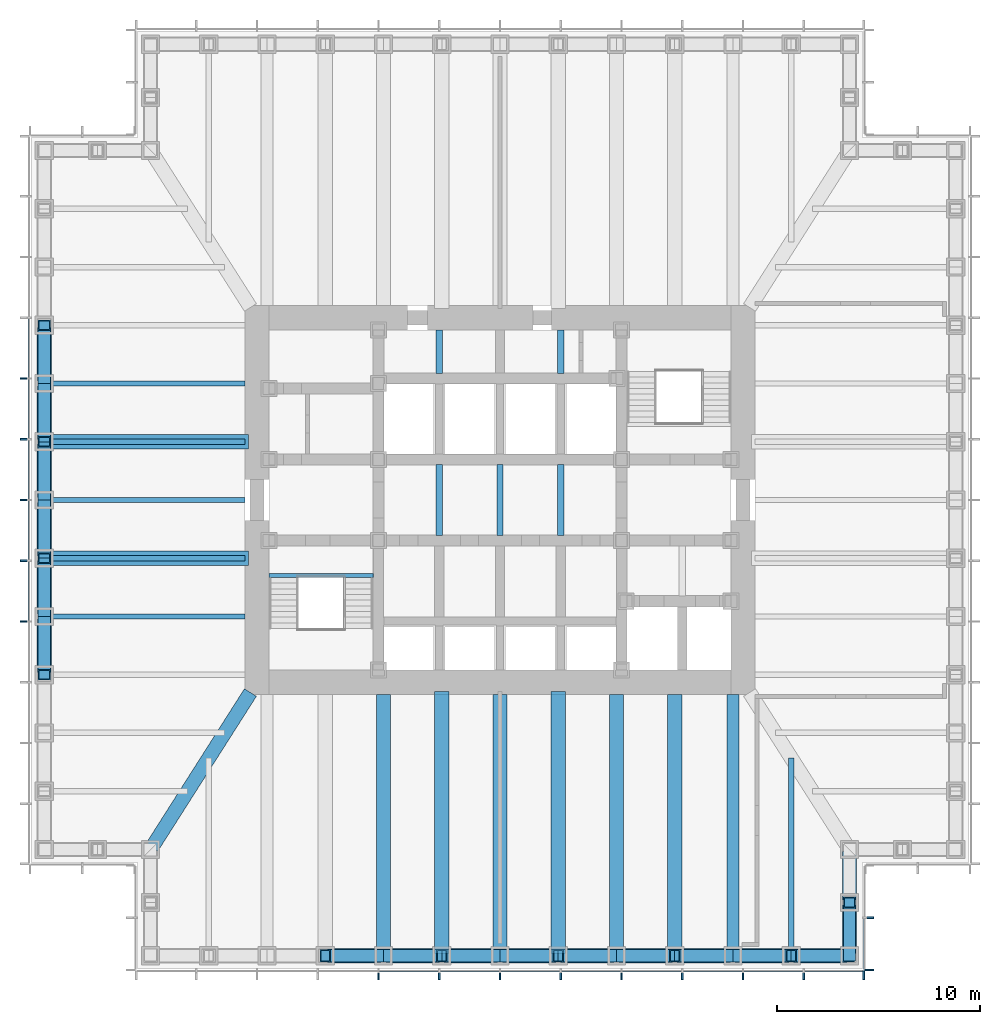
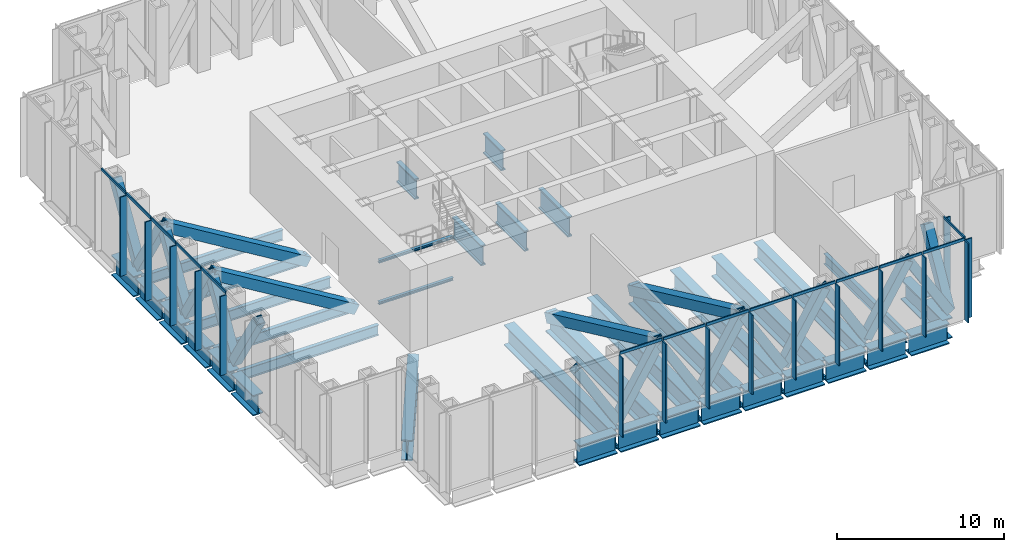
# One storey, part 2 of 13: 50 members, 38 beams, 3 elements without a shape of their own.
"""IFC4 building model written with IfcOpenShell, lengths in metres."""

import ifcopenshell
import ifcopenshell.guid

model = None  # the IFC model being written
_history = None  # IfcOwnerHistory: only IFC2X3 demands one
_inside = {}  # id of a spatial element -> (the spatial element, [elements in it])
_under = {}  # id of a project, library or spatial element -> (it, [spatial elements below it])
_declared = {}  # id of a project -> (the project, [libraries it declares])
_typed = {}  # id of a type object -> (the type object, [elements of that type])
_made_of = {}  # id of a material, layer set ... -> (it, [elements and type objects made of it])


def new_model(schema):
    """Start an empty IFC model of exactly this schema.

    Asked for "IFC4X3", IfcOpenShell would pick the latest addendum, in which some entities
    have other attributes; the version numbers below select the first issue.
    IFC2X3 requires an IfcOwnerHistory on every rooted entity: one is made here for all.
    """
    global model, _history
    if schema == "IFC4X3":
        model = ifcopenshell.file(schema_version=(4, 3, 0, 0))
    else:
        model = ifcopenshell.file(schema=schema)
    _inside.clear()
    _under.clear()
    _declared.clear()
    _typed.clear()
    _made_of.clear()
    _history = None
    if model.schema == "IFC2X3":
        org = make("IfcOrganization", Name="unknown")
        user = make(
            "IfcPersonAndOrganization",
            ThePerson=make("IfcPerson", FamilyName="unknown"),
            TheOrganization=org,
        )
        app = make(
            "IfcApplication",
            ApplicationDeveloper=org,
            Version="unknown",
            ApplicationFullName="unknown",
            ApplicationIdentifier="unknown",
        )
        _history = make(
            "IfcOwnerHistory",
            OwningUser=user,
            OwningApplication=app,
            ChangeAction="ADDED",
            CreationDate=0,
        )
    return model


def make(cls, **values):
    """One entity of the class cls with the attributes given. An attribute that is None is left unset."""
    return model.create_entity(
        cls, **{name: value for name, value in values.items() if value is not None}
    )


def rooted(cls, **values):
    """An entity with a GlobalId (a new one), such as an element, a storey or a relation."""
    return make(cls, GlobalId=ifcopenshell.guid.new(), OwnerHistory=_history, **values)


def si_unit(unit_type, name, prefix=None):
    """IfcSIUnit, for example si_unit("LENGTHUNIT", "METRE", prefix="MILLI")."""
    return make("IfcSIUnit", UnitType=unit_type, Prefix=prefix, Name=name)


def assignment(units):
    """IfcUnitAssignment: the units of a project."""
    return None if units is None else make("IfcUnitAssignment", Units=units)


def point(xyz):
    """IfcCartesianPoint."""
    return None if xyz is None else make("IfcCartesianPoint", Coordinates=xyz)


def direction(xyz):
    """IfcDirection."""
    return None if xyz is None else make("IfcDirection", DirectionRatios=xyz)


def frame(location, z_axis=None, x_axis=None):
    """IfcAxis2Placement3D, a coordinate frame: its origin and axes. An axis left out is left unset."""
    return make(
        "IfcAxis2Placement3D",
        Location=point(location),
        Axis=direction(z_axis),
        RefDirection=direction(x_axis),
    )


def frame_2d(location, x_axis=None):
    """IfcAxis2Placement2D, a coordinate frame in the plane: its origin and x axis."""
    return make(
        "IfcAxis2Placement2D", Location=point(location), RefDirection=direction(x_axis)
    )


def origin():
    """The frame at (0, 0, 0) with its axes left unset."""
    return frame((0.0, 0.0, 0.0))


def origin_2d():
    """The frame at (0, 0) in the plane with its x axis left unset."""
    return frame_2d((0.0, 0.0))


def place(relative_to, where):
    """IfcLocalPlacement: puts the frame where relative to a parent placement (None: the world)."""
    return make(
        "IfcLocalPlacement", PlacementRelTo=relative_to, RelativePlacement=where
    )


def context(
    kind, dimensions, precision=None, world=None, true_north=None, identifier=None
):
    """IfcGeometricRepresentationContext, for example the 3D "Model" context."""
    return make(
        "IfcGeometricRepresentationContext",
        ContextIdentifier=identifier,
        ContextType=kind,
        CoordinateSpaceDimension=dimensions,
        Precision=precision,
        WorldCoordinateSystem=world,
        TrueNorth=true_north,
    )


def subcontext(parent, identifier, kind, view, scale=None):
    """IfcGeometricRepresentationSubContext, for example "Body" below "Model"."""
    return make(
        "IfcGeometricRepresentationSubContext",
        ContextIdentifier=identifier,
        ContextType=kind,
        ParentContext=parent,
        TargetScale=scale,
        TargetView=view,
    )


def project(units=None, contexts=None):
    """IfcProject with its units and contexts."""
    return rooted(
        "IfcProject",
        Name="project",
        RepresentationContexts=contexts,
        UnitsInContext=assignment(units),
    )


def spatial(cls, under=None, at=None, **own):
    """A site, building, storey or space (cls), placed at a placement, below another one or the project."""
    s = rooted(cls, ObjectPlacement=at, **own)
    if under is not None:
        _under.setdefault(under.id(), (under, []))[1].append(s)
    return s


def profile(cls, at=None, kind="AREA", **sizes):
    """A parametric profile (cls). Its sizes go by their IFC names, for example OverallWidth=200.0."""
    return make(cls, ProfileType=kind, Position=at, **sizes)


def rectangle(**sizes):
    """IfcRectangleProfileDef."""
    return profile("IfcRectangleProfileDef", **sizes)


def hollow_rectangle(**sizes):
    """IfcRectangleHollowProfileDef."""
    return profile("IfcRectangleHollowProfileDef", **sizes)


def i_section(**sizes):
    """IfcIShapeProfileDef."""
    return profile("IfcIShapeProfileDef", **sizes)


def extrude(swept, where, along, depth):
    """IfcExtrudedAreaSolid: the profile swept, set in the frame where, extruded along a direction by depth."""
    return make(
        "IfcExtrudedAreaSolid",
        SweptArea=swept,
        Position=where,
        ExtrudedDirection=direction(along),
        Depth=depth,
    )


def shape(context_of_items, identifier, shape_type, items):
    """IfcShapeRepresentation: the items that make up one representation, for example the "Body"."""
    return make(
        "IfcShapeRepresentation",
        ContextOfItems=context_of_items,
        RepresentationIdentifier=identifier,
        RepresentationType=shape_type,
        Items=items,
    )


def material(Name=None, Category=None):
    """IfcMaterial."""
    return make("IfcMaterial", Name=Name, Category=Category)


def material_profile(
    of_material, cross_section, Name=None, Category=None, Priority=None
):
    """IfcMaterialProfile: a cross section and its material."""
    return make(
        "IfcMaterialProfile",
        Name=Name,
        Material=of_material,
        Profile=cross_section,
        Priority=Priority,
        Category=Category,
    )


def profile_set(profiles, Name=None, composite=None):
    """IfcMaterialProfileSet."""
    return make(
        "IfcMaterialProfileSet",
        Name=Name,
        MaterialProfiles=profiles,
        CompositeProfile=composite,
    )


def made_of(thing, what):
    """Note that an element or type object is made of a material, layer set ...; save() writes the relation."""
    if what is not None:
        _made_of.setdefault(what.id(), (what, []))[1].append(thing)
    return thing


def type_object(cls, material=None, **own):
    """A type object (cls), such as IfcWallType, which elements share."""
    return made_of(rooted(cls, **own), material)


def element(
    cls,
    number,
    at=None,
    inside=None,
    cuts=None,
    type_object=None,
    material=None,
    context=None,
    identifier="Body",
    shape_type=None,
    held_by="IfcProductDefinitionShape",
    body=None,
    shapes=None,
    **own,
):
    """One element of the class cls, such as IfcWall. Its Tag is "e" and its number.

    at: its placement. inside: the storey or other place that contains it. cuts: it is an
    opening in that element (IfcRelVoidsElement). A single representation is given by context,
    identifier, shape_type and body (its items); several are given by shapes. held_by: the class
    of the entity that holds the representations. save() writes the other relations.
    """
    e = rooted(cls, Tag="e%d" % number, ObjectPlacement=at, **own)
    if body is not None:
        shapes = [shape(context, identifier, shape_type, body)]
    if shapes is not None:
        e.Representation = make(held_by, Representations=shapes)
    if inside is not None:
        _inside.setdefault(inside.id(), (inside, []))[1].append(e)
    if cuts is not None:
        rooted(
            "IfcRelVoidsElement", RelatingBuildingElement=cuts, RelatedOpeningElement=e
        )
    if type_object is not None:
        _typed.setdefault(type_object.id(), (type_object, []))[1].append(e)
    return made_of(e, material)


def aggregate(whole, parts):
    """IfcRelAggregates: a whole, such as a stair, and the parts it consists of."""
    return rooted("IfcRelAggregates", RelatingObject=whole, RelatedObjects=parts)


def save(model, path):
    """Write the relations noted so far, then the file.

    IfcRelAggregates (storeys below a building ...), IfcRelContainedInSpatialStructure (elements
    in a storey), IfcRelDefinesByType, IfcRelAssociatesMaterial and IfcRelDeclares: one each for
    every whole, place, type object, material and project.
    """
    for whole, parts in _under.values():
        aggregate(whole, parts)
    for where, things in _inside.values():
        rooted(
            "IfcRelContainedInSpatialStructure",
            RelatedElements=things,
            RelatingStructure=where,
        )
    for kind, things in _typed.values():
        rooted("IfcRelDefinesByType", RelatedObjects=things, RelatingType=kind)
    for what, things in _made_of.values():
        rooted("IfcRelAssociatesMaterial", RelatedObjects=things, RelatingMaterial=what)
    for by, libraries in _declared.values():
        rooted("IfcRelDeclares", RelatingContext=by, RelatedDefinitions=libraries)
    model.write(path)


model = new_model("IFC4")

# Units and contexts
model_context = context("Model", 3, precision=1e-05, world=origin(), true_north=direction((0.0, 1.0)))
body_context = subcontext(model_context, "Body", "Model", "MODEL_VIEW")
ifc_project = project(units=[si_unit("LENGTHUNIT", "METRE"), si_unit("AREAUNIT", "SQUARE_METRE"), si_unit("VOLUMEUNIT", "CUBIC_METRE"), si_unit("PLANEANGLEUNIT", "RADIAN"), si_unit("MASSUNIT", "GRAM", prefix="KILO")], contexts=[model_context])

# Site, building, storey
site_placement = place(None, origin())
site = spatial("IfcSite", under=ifc_project, at=site_placement, CompositionType="ELEMENT")
building_placement = place(site_placement, origin())
building = spatial("IfcBuilding", under=site, at=building_placement, Name="Daluyong Arena Tower", CompositionType="ELEMENT")
storey_placement = place(building_placement, frame((0.0, 0.0, 175.300048828125)))
storey = spatial("IfcBuildingStorey", under=building, at=storey_placement, Name="L39", CompositionType="ELEMENT", Elevation=175.300048828125)

# Members
ifc_material_1 = material(Name="Steel ASTM A572 Grade 50", Category="steel")
ifc_material_profile_1 = material_profile(ifc_material_1, hollow_rectangle(XDim=0.60009765625, YDim=0.60009765625, WallThickness=0.05, at=origin_2d()))
ifc_profile_set_1 = profile_set([ifc_material_profile_1], Name="Steel ASTM A572 Grade 50")
member_type_1 = type_object("IfcMemberType", Name="Belt truss diagonal BX600X50", PredefinedType="BRACE", material=ifc_profile_set_1)
for number, where, z_axis, x_axis, name in (
    (1, (50.25, 57.5, 0.5), (-0.517802679406, 0.0, 0.855500079018), (0.0, -1.0, 0.0), "belt truss diagonal BT1"),
    (2, (50.25, 57.5, 0.5), (0.517802679406, 0.0, 0.855500079018), (0.0, 1.0, 0.0), "belt truss diagonal BT1"),
    (3, (56.0, 57.5, 0.5), (-0.517802679406, 0.0, 0.855500079018), (0.0, -1.0, 0.0), "belt truss diagonal BT1"),
    (4, (56.0, 57.5, 0.5), (0.517802679406, 0.0, 0.855500079018), (0.0, 1.0, 0.0), "belt truss diagonal BT1"),
    (5, (61.75, 57.5, 0.5), (-0.517802679406, 0.0, 0.855500079018), (0.0, -1.0, 0.0), "belt truss diagonal BT1"),
    (6, (61.75, 57.5, 0.5), (0.517802679406, 0.0, 0.855500079018), (0.0, 1.0, 0.0), "belt truss diagonal BT1"),
    (7, (67.5, 57.5, 0.5), (-0.517802679406, 0.0, 0.855500079018), (0.0, -1.0, 0.0), "belt truss diagonal BT1"),
    (8, (67.5, 57.5, 0.5), (0.517802679406, 0.0, 0.855500079018), (0.0, 1.0, 0.0), "belt truss diagonal BT1"),
    (9, (73.25, 57.5, 0.5), (-0.517802679406, 0.0, 0.855500079018), (0.0, -1.0, 0.0), "belt truss diagonal BT1"),
):
    element("IfcMember", number, at=place(storey_placement, frame(where, z_axis=z_axis, x_axis=x_axis)), inside=storey, type_object=member_type_1, Name=name, PredefinedType="BRACE", context=body_context, shape_type="SweptSolid", body=[
        extrude(hollow_rectangle(XDim=0.60009765625, YDim=0.60009765625, WallThickness=0.05, at=origin_2d()), origin(), (0.0, 0.0, 1.0), 5.55224609375),
    ])
member_1_placement = place(storey_placement, frame((73.25, 57.5, 0.5), z_axis=(0.0, 0.48368611169, 0.875241535439), x_axis=(-1.0, 0.0, 0.0)))
element("IfcMember", 10, at=member_1_placement, inside=storey, type_object=member_type_1, Name="belt truss diagonal BT1", PredefinedType="BRACE", context=body_context, shape_type="SweptSolid", body=[
    extrude(hollow_rectangle(XDim=0.60009765625, YDim=0.60009765625, WallThickness=0.05, at=origin_2d()), origin(), (0.0, 0.0, 1.0), 5.427001953125),
])
for number, where, z_axis, x_axis, name in (
    (11, (33.5, 85.75, 0.5), (0.0, 0.517802679406, 0.855500079018), (-1.0, 0.0, 0.0), "belt truss diagonal BT1"),
    (12, (33.5, 85.75, 0.5), (0.0, -0.517802679406, 0.855500079018), (1.0, 0.0, 0.0), "belt truss diagonal BT1"),
    (13, (33.5, 80.0, 0.5), (0.0, 0.517802679406, 0.855500079018), (-1.0, 0.0, 0.0), "belt truss diagonal BT1"),
    (14, (33.5, 80.0, 0.5), (0.0, -0.517802679406, 0.855500079018), (1.0, 0.0, 0.0), "belt truss diagonal BT1"),
    (15, (33.5, 74.25, 0.5), (0.0, 0.517802679406, 0.855500079018), (-1.0, 0.0, 0.0), "belt truss diagonal BT1"),
    (16, (33.5, 74.25, 0.5), (0.0, -0.517802679406, 0.855500079018), (1.0, 0.0, 0.0), "belt truss diagonal BT1"),
):
    element("IfcMember", number, at=place(storey_placement, frame(where, z_axis=z_axis, x_axis=x_axis)), inside=storey, type_object=member_type_1, Name=name, PredefinedType="BRACE", context=body_context, shape_type="SweptSolid", body=[
        extrude(hollow_rectangle(XDim=0.60009765625, YDim=0.60009765625, WallThickness=0.05, at=origin_2d()), origin(), (0.0, 0.0, 1.0), 5.55224609375),
    ])

# Curtain wall, members
ifc_material_2 = material(Name="Bronze anodised aluminium and glass", Category="aluminium")
curtain_wall_type = type_object("IfcCurtainWallType", Name="Curtain wall CW6", PredefinedType="USERDEFINED", material=ifc_material_2)
curtain_wall_1_placement = place(storey_placement, origin())
curtain_wall_1 = element("IfcCurtainWall", 17, at=curtain_wall_1_placement, inside=storey, type_object=curtain_wall_type, Name="curtain wall L39 S", ObjectType="UNITISED CURTAIN WALL", PredefinedType="USERDEFINED")
ifc_material_3 = material(Name="Bronze anodised aluminium fin", Category="aluminium")
ifc_material_profile_2 = material_profile(ifc_material_3, rectangle(XDim=0.449951171875, YDim=0.080078125, at=origin_2d()))
ifc_profile_set_2 = profile_set([ifc_material_profile_2], Name="Bronze anodised aluminium fin")
member_type_2 = type_object("IfcMemberType", Name="CW6 bronze fin 450x80", PredefinedType="MULLION", material=ifc_profile_set_2)
member_2_placement = place(storey_placement, frame((50.0, 56.52490234375, 0.0), z_axis=(0.0, 0.0, 1.0), x_axis=(0.0, 1.0, 0.0)))
member_2 = element("IfcMember", 18, at=member_2_placement, type_object=member_type_2, Name="curtain wall L39 S fin 5", PredefinedType="MULLION", context=body_context, shape_type="SweptSolid", body=[
    extrude(rectangle(XDim=0.449951171875, YDim=0.080078125, at=origin_2d()), origin(), (0.0, 0.0, 1.0), 5.800048828125),
])
member_3_placement = place(storey_placement, frame((53.0, 56.52490234375, 0.0), z_axis=(0.0, 0.0, 1.0), x_axis=(0.0, 1.0, 0.0)))
member_3 = element("IfcMember", 19, at=member_3_placement, type_object=member_type_2, Name="curtain wall L39 S fin 6", PredefinedType="MULLION", context=body_context, shape_type="SweptSolid", body=[
    extrude(rectangle(XDim=0.449951171875, YDim=0.080078125, at=origin_2d()), origin(), (0.0, 0.0, 1.0), 5.800048828125),
])
member_4_placement = place(storey_placement, frame((56.0, 56.52490234375, 0.0), z_axis=(0.0, 0.0, 1.0), x_axis=(0.0, 1.0, 0.0)))
member_4 = element("IfcMember", 20, at=member_4_placement, type_object=member_type_2, Name="curtain wall L39 S fin 7", PredefinedType="MULLION", context=body_context, shape_type="SweptSolid", body=[
    extrude(rectangle(XDim=0.449951171875, YDim=0.080078125, at=origin_2d()), origin(), (0.0, 0.0, 1.0), 5.800048828125),
])
member_5_placement = place(storey_placement, frame((59.0, 56.52490234375, 0.0), z_axis=(0.0, 0.0, 1.0), x_axis=(0.0, 1.0, 0.0)))
member_5 = element("IfcMember", 21, at=member_5_placement, type_object=member_type_2, Name="curtain wall L39 S fin 8", PredefinedType="MULLION", context=body_context, shape_type="SweptSolid", body=[
    extrude(rectangle(XDim=0.449951171875, YDim=0.080078125, at=origin_2d()), origin(), (0.0, 0.0, 1.0), 5.800048828125),
])
member_6_placement = place(storey_placement, frame((62.0, 56.52490234375, 0.0), z_axis=(0.0, 0.0, 1.0), x_axis=(0.0, 1.0, 0.0)))
member_6 = element("IfcMember", 22, at=member_6_placement, type_object=member_type_2, Name="curtain wall L39 S fin 9", PredefinedType="MULLION", context=body_context, shape_type="SweptSolid", body=[
    extrude(rectangle(XDim=0.449951171875, YDim=0.080078125, at=origin_2d()), origin(), (0.0, 0.0, 1.0), 5.800048828125),
])
member_7_placement = place(storey_placement, frame((65.0, 56.52490234375, 0.0), z_axis=(0.0, 0.0, 1.0), x_axis=(0.0, 1.0, 0.0)))
member_7 = element("IfcMember", 23, at=member_7_placement, type_object=member_type_2, Name="curtain wall L39 S fin 10", PredefinedType="MULLION", context=body_context, shape_type="SweptSolid", body=[
    extrude(rectangle(XDim=0.449951171875, YDim=0.080078125, at=origin_2d()), origin(), (0.0, 0.0, 1.0), 5.800048828125),
])
member_8_placement = place(storey_placement, frame((68.0, 56.52490234375, 0.0), z_axis=(0.0, 0.0, 1.0), x_axis=(0.0, 1.0, 0.0)))
member_8 = element("IfcMember", 24, at=member_8_placement, type_object=member_type_2, Name="curtain wall L39 S fin 11", PredefinedType="MULLION", context=body_context, shape_type="SweptSolid", body=[
    extrude(rectangle(XDim=0.449951171875, YDim=0.080078125, at=origin_2d()), origin(), (0.0, 0.0, 1.0), 5.800048828125),
])
member_9_placement = place(storey_placement, frame((71.0, 56.52490234375, 0.0), z_axis=(0.0, 0.0, 1.0), x_axis=(0.0, 1.0, 0.0)))
member_9 = element("IfcMember", 25, at=member_9_placement, type_object=member_type_2, Name="curtain wall L39 S fin 12", PredefinedType="MULLION", context=body_context, shape_type="SweptSolid", body=[
    extrude(rectangle(XDim=0.449951171875, YDim=0.080078125, at=origin_2d()), origin(), (0.0, 0.0, 1.0), 5.800048828125),
])
member_10_placement = place(storey_placement, frame((73.9599609375, 56.52490234375, 0.0), z_axis=(0.0, 0.0, 1.0), x_axis=(0.0, 1.0, 0.0)))
member_10 = element("IfcMember", 26, at=member_10_placement, type_object=member_type_2, Name="curtain wall L39 S fin 13", PredefinedType="MULLION", context=body_context, shape_type="SweptSolid", body=[
    extrude(rectangle(XDim=0.449951171875, YDim=0.080078125, at=origin_2d()), origin(), (0.0, 0.0, 1.0), 5.800048828125),
])

curtain_wall_2_placement = place(storey_placement, origin())
curtain_wall_2 = element("IfcCurtainWall", 27, at=curtain_wall_2_placement, inside=storey, type_object=curtain_wall_type, Name="curtain wall L39 SE-E", ObjectType="UNITISED CURTAIN WALL", PredefinedType="USERDEFINED")
member_11_placement = place(storey_placement, frame((74.22509765625, 56.7900390625, 0.0), z_axis=(0.0, 0.0, 1.0), x_axis=(-1.0, 0.0, 0.0)))
member_11 = element("IfcMember", 28, at=member_11_placement, type_object=member_type_2, Name="curtain wall L39 SE-E fin 1", PredefinedType="MULLION", context=body_context, shape_type="SweptSolid", body=[
    extrude(rectangle(XDim=0.449951171875, YDim=0.080078125, at=origin_2d()), origin(), (0.0, 0.0, 1.0), 5.800048828125),
])
member_12_placement = place(storey_placement, frame((74.22509765625, 59.375, 0.0), z_axis=(0.0, 0.0, 1.0), x_axis=(-1.0, 0.0, 0.0)))
member_12 = element("IfcMember", 29, at=member_12_placement, type_object=member_type_2, Name="curtain wall L39 SE-E fin 2", PredefinedType="MULLION", context=body_context, shape_type="SweptSolid", body=[
    extrude(rectangle(XDim=0.449951171875, YDim=0.080078125, at=origin_2d()), origin(), (0.0, 0.0, 1.0), 5.800048828125),
])

curtain_wall_3_placement = place(storey_placement, origin())
curtain_wall_3 = element("IfcCurtainWall", 30, at=curtain_wall_3_placement, inside=storey, type_object=curtain_wall_type, Name="curtain wall L39 W", ObjectType="UNITISED CURTAIN WALL", PredefinedType="USERDEFINED")
member_13_placement = place(storey_placement, frame((32.52490234375, 86.0, 0.0), z_axis=(0.0, 0.0, 1.0), x_axis=(1.0, 0.0, 0.0)))
member_13 = element("IfcMember", 31, at=member_13_placement, type_object=member_type_2, Name="curtain wall L39 W fin 5", PredefinedType="MULLION", context=body_context, shape_type="SweptSolid", body=[
    extrude(rectangle(XDim=0.449951171875, YDim=0.080078125, at=origin_2d()), origin(), (0.0, 0.0, 1.0), 5.800048828125),
])
member_14_placement = place(storey_placement, frame((32.52490234375, 83.0, 0.0), z_axis=(0.0, 0.0, 1.0), x_axis=(1.0, 0.0, 0.0)))
member_14 = element("IfcMember", 32, at=member_14_placement, type_object=member_type_2, Name="curtain wall L39 W fin 6", PredefinedType="MULLION", context=body_context, shape_type="SweptSolid", body=[
    extrude(rectangle(XDim=0.449951171875, YDim=0.080078125, at=origin_2d()), origin(), (0.0, 0.0, 1.0), 5.800048828125),
])
member_15_placement = place(storey_placement, frame((32.52490234375, 80.0, 0.0), z_axis=(0.0, 0.0, 1.0), x_axis=(1.0, 0.0, 0.0)))
member_15 = element("IfcMember", 33, at=member_15_placement, type_object=member_type_2, Name="curtain wall L39 W fin 7", PredefinedType="MULLION", context=body_context, shape_type="SweptSolid", body=[
    extrude(rectangle(XDim=0.449951171875, YDim=0.080078125, at=origin_2d()), origin(), (0.0, 0.0, 1.0), 5.800048828125),
])
member_16_placement = place(storey_placement, frame((32.52490234375, 77.0, 0.0), z_axis=(0.0, 0.0, 1.0), x_axis=(1.0, 0.0, 0.0)))
member_16 = element("IfcMember", 34, at=member_16_placement, type_object=member_type_2, Name="curtain wall L39 W fin 8", PredefinedType="MULLION", context=body_context, shape_type="SweptSolid", body=[
    extrude(rectangle(XDim=0.449951171875, YDim=0.080078125, at=origin_2d()), origin(), (0.0, 0.0, 1.0), 5.800048828125),
])
member_17_placement = place(storey_placement, frame((32.52490234375, 74.0, 0.0), z_axis=(0.0, 0.0, 1.0), x_axis=(1.0, 0.0, 0.0)))
member_17 = element("IfcMember", 35, at=member_17_placement, type_object=member_type_2, Name="curtain wall L39 W fin 9", PredefinedType="MULLION", context=body_context, shape_type="SweptSolid", body=[
    extrude(rectangle(XDim=0.449951171875, YDim=0.080078125, at=origin_2d()), origin(), (0.0, 0.0, 1.0), 5.800048828125),
])

# Member
ifc_material_4 = material(Name="Bronze anodised aluminium", Category="aluminium")
ifc_material_profile_3 = material_profile(ifc_material_4, rectangle(XDim=0.080078125, YDim=0.199951171875, at=origin_2d()))
ifc_profile_set_3 = profile_set([ifc_material_profile_3], Name="Bronze anodised aluminium")
member_type_3 = type_object("IfcMemberType", Name="CW6 stack transom 200x80", PredefinedType="USERDEFINED", material=ifc_profile_set_3)
member_18_placement = place(storey_placement, frame((50.0400390625, 56.75, 5.89990234375), z_axis=(1.0, 0.0, 0.0), x_axis=(0.0, 1.0, 0.0)))
member_18 = element("IfcMember", 36, at=member_18_placement, type_object=member_type_3, Name="curtain wall L39 S transom 5", ObjectType="TRANSOM", PredefinedType="USERDEFINED", context=body_context, shape_type="SweptSolid", body=[
    extrude(rectangle(XDim=0.080078125, YDim=0.199951171875, at=origin_2d()), origin(), (0.0, 0.0, 1.0), 2.919921875),
])

member_19_placement = place(storey_placement, frame((53.0400390625, 56.75, 5.89990234375), z_axis=(1.0, 0.0, 0.0), x_axis=(0.0, 1.0, 0.0)))
member_19 = element("IfcMember", 37, at=member_19_placement, type_object=member_type_3, Name="curtain wall L39 S transom 6", ObjectType="TRANSOM", PredefinedType="USERDEFINED", context=body_context, shape_type="SweptSolid", body=[
    extrude(rectangle(XDim=0.080078125, YDim=0.199951171875, at=origin_2d()), origin(), (0.0, 0.0, 1.0), 2.919921875),
])

member_20_placement = place(storey_placement, frame((56.0400390625, 56.75, 5.89990234375), z_axis=(1.0, 0.0, 0.0), x_axis=(0.0, 1.0, 0.0)))
member_20 = element("IfcMember", 38, at=member_20_placement, type_object=member_type_3, Name="curtain wall L39 S transom 7", ObjectType="TRANSOM", PredefinedType="USERDEFINED", context=body_context, shape_type="SweptSolid", body=[
    extrude(rectangle(XDim=0.080078125, YDim=0.199951171875, at=origin_2d()), origin(), (0.0, 0.0, 1.0), 2.919921875),
])

member_21_placement = place(storey_placement, frame((59.0400390625, 56.75, 5.89990234375), z_axis=(1.0, 0.0, 0.0), x_axis=(0.0, 1.0, 0.0)))
member_21 = element("IfcMember", 39, at=member_21_placement, type_object=member_type_3, Name="curtain wall L39 S transom 8", ObjectType="TRANSOM", PredefinedType="USERDEFINED", context=body_context, shape_type="SweptSolid", body=[
    extrude(rectangle(XDim=0.080078125, YDim=0.199951171875, at=origin_2d()), origin(), (0.0, 0.0, 1.0), 2.919921875),
])

member_22_placement = place(storey_placement, frame((62.0400390625, 56.75, 5.89990234375), z_axis=(1.0, 0.0, 0.0), x_axis=(0.0, 1.0, 0.0)))
member_22 = element("IfcMember", 40, at=member_22_placement, type_object=member_type_3, Name="curtain wall L39 S transom 9", ObjectType="TRANSOM", PredefinedType="USERDEFINED", context=body_context, shape_type="SweptSolid", body=[
    extrude(rectangle(XDim=0.080078125, YDim=0.199951171875, at=origin_2d()), origin(), (0.0, 0.0, 1.0), 2.919921875),
])

member_23_placement = place(storey_placement, frame((65.0400390625, 56.75, 5.89990234375), z_axis=(1.0, 0.0, 0.0), x_axis=(0.0, 1.0, 0.0)))
member_23 = element("IfcMember", 41, at=member_23_placement, type_object=member_type_3, Name="curtain wall L39 S transom 10", ObjectType="TRANSOM", PredefinedType="USERDEFINED", context=body_context, shape_type="SweptSolid", body=[
    extrude(rectangle(XDim=0.080078125, YDim=0.199951171875, at=origin_2d()), origin(), (0.0, 0.0, 1.0), 2.919921875),
])

member_24_placement = place(storey_placement, frame((68.0400390625, 56.75, 5.89990234375), z_axis=(1.0, 0.0, 0.0), x_axis=(0.0, 1.0, 0.0)))
member_24 = element("IfcMember", 42, at=member_24_placement, type_object=member_type_3, Name="curtain wall L39 S transom 11", ObjectType="TRANSOM", PredefinedType="USERDEFINED", context=body_context, shape_type="SweptSolid", body=[
    extrude(rectangle(XDim=0.080078125, YDim=0.199951171875, at=origin_2d()), origin(), (0.0, 0.0, 1.0), 2.919921875),
])

member_25_placement = place(storey_placement, frame((71.0400390625, 56.75, 5.89990234375), z_axis=(1.0, 0.0, 0.0), x_axis=(0.0, 1.0, 0.0)))
member_25 = element("IfcMember", 43, at=member_25_placement, type_object=member_type_3, Name="curtain wall L39 S transom 12", ObjectType="TRANSOM", PredefinedType="USERDEFINED", context=body_context, shape_type="SweptSolid", body=[
    extrude(rectangle(XDim=0.080078125, YDim=0.199951171875, at=origin_2d()), origin(), (0.0, 0.0, 1.0), 2.8798828125),
])

aggregate(curtain_wall_1, [member_2, member_3, member_4, member_5, member_6, member_7, member_8, member_9, member_10, member_18, member_19, member_20, member_21, member_22, member_23, member_24, member_25])

member_26_placement = place(storey_placement, frame((74.0, 56.830078125, 5.89990234375), z_axis=(0.0, 1.0, 0.0), x_axis=(-1.0, 0.0, 0.0)))
member_26 = element("IfcMember", 44, at=member_26_placement, type_object=member_type_3, Name="curtain wall L39 SE-E transom 1", ObjectType="TRANSOM", PredefinedType="USERDEFINED", context=body_context, shape_type="SweptSolid", body=[
    extrude(rectangle(XDim=0.080078125, YDim=0.199951171875, at=origin_2d()), origin(), (0.0, 0.0, 1.0), 2.5048828125),
])

aggregate(curtain_wall_2, [member_11, member_12, member_26])

member_27_placement = place(storey_placement, frame((32.75, 88.9599609375, 5.89990234375), z_axis=(0.0, -1.0, 0.0), x_axis=(1.0, 0.0, 0.0)))
member_27 = element("IfcMember", 45, at=member_27_placement, type_object=member_type_3, Name="curtain wall L39 W transom 4", ObjectType="TRANSOM", PredefinedType="USERDEFINED", context=body_context, shape_type="SweptSolid", body=[
    extrude(rectangle(XDim=0.080078125, YDim=0.199951171875, at=origin_2d()), origin(), (0.0, 0.0, 1.0), 2.919921875),
])

member_28_placement = place(storey_placement, frame((32.75, 85.9599609375, 5.89990234375), z_axis=(0.0, -1.0, 0.0), x_axis=(1.0, 0.0, 0.0)))
member_28 = element("IfcMember", 46, at=member_28_placement, type_object=member_type_3, Name="curtain wall L39 W transom 5", ObjectType="TRANSOM", PredefinedType="USERDEFINED", context=body_context, shape_type="SweptSolid", body=[
    extrude(rectangle(XDim=0.080078125, YDim=0.199951171875, at=origin_2d()), origin(), (0.0, 0.0, 1.0), 2.919921875),
])

member_29_placement = place(storey_placement, frame((32.75, 82.9599609375, 5.89990234375), z_axis=(0.0, -1.0, 0.0), x_axis=(1.0, 0.0, 0.0)))
member_29 = element("IfcMember", 47, at=member_29_placement, type_object=member_type_3, Name="curtain wall L39 W transom 6", ObjectType="TRANSOM", PredefinedType="USERDEFINED", context=body_context, shape_type="SweptSolid", body=[
    extrude(rectangle(XDim=0.080078125, YDim=0.199951171875, at=origin_2d()), origin(), (0.0, 0.0, 1.0), 2.919921875),
])

member_30_placement = place(storey_placement, frame((32.75, 79.9599609375, 5.89990234375), z_axis=(0.0, -1.0, 0.0), x_axis=(1.0, 0.0, 0.0)))
member_30 = element("IfcMember", 48, at=member_30_placement, type_object=member_type_3, Name="curtain wall L39 W transom 7", ObjectType="TRANSOM", PredefinedType="USERDEFINED", context=body_context, shape_type="SweptSolid", body=[
    extrude(rectangle(XDim=0.080078125, YDim=0.199951171875, at=origin_2d()), origin(), (0.0, 0.0, 1.0), 2.919921875),
])

member_31_placement = place(storey_placement, frame((32.75, 76.9599609375, 5.89990234375), z_axis=(0.0, -1.0, 0.0), x_axis=(1.0, 0.0, 0.0)))
member_31 = element("IfcMember", 49, at=member_31_placement, type_object=member_type_3, Name="curtain wall L39 W transom 8", ObjectType="TRANSOM", PredefinedType="USERDEFINED", context=body_context, shape_type="SweptSolid", body=[
    extrude(rectangle(XDim=0.080078125, YDim=0.199951171875, at=origin_2d()), origin(), (0.0, 0.0, 1.0), 2.919921875),
])

aggregate(curtain_wall_3, [member_13, member_14, member_15, member_16, member_17, member_27, member_28, member_29, member_30, member_31])

# Beams
ifc_material_5 = material(Name="Steel ASTM A572 Grade 50", Category="steel")
ifc_material_profile_4 = material_profile(ifc_material_5, i_section(OverallWidth=0.699951171875, OverallDepth=1.5, WebThickness=0.04, FlangeThickness=0.08, at=origin_2d()))
ifc_profile_set_4 = profile_set([ifc_material_profile_4], Name="Steel ASTM A572 Grade 50")
beam_type_1 = type_object("IfcBeamType", Name="Corner girder PG1500X700", PredefinedType="BEAM", material=ifc_profile_set_4)
beam_1_placement = place(storey_placement, frame((38.811767578125, 62.846923828125, -1.0), z_axis=(0.536872006459, 0.843663705916, 0.0), x_axis=(-0.843663705916, 0.536872006459, 0.0)))
element("IfcBeam", 50, at=beam_1_placement, inside=storey, type_object=beam_type_1, Name="corner girder DG4", PredefinedType="BEAM", context=body_context, shape_type="SweptSolid", body=[
    extrude(i_section(OverallWidth=0.699951171875, OverallDepth=1.5, WebThickness=0.04, FlangeThickness=0.08, at=origin_2d()), origin(), (0.0, 0.0, 1.0), 9.06396484375),
])
ifc_material_6 = material(Name="Steel ASTM A572 Grade 50", Category="steel")
ifc_material_profile_5 = material_profile(ifc_material_6, i_section(OverallWidth=0.699951171875, OverallDepth=1.5, WebThickness=0.04, FlangeThickness=0.08, at=origin_2d()))
ifc_profile_set_5 = profile_set([ifc_material_profile_5], Name="Steel ASTM A572 Grade 50")
beam_type_2 = type_object("IfcBeamType", Name="Floor beam PG1500X700", PredefinedType="BEAM", material=ifc_profile_set_5)
for number, where, z_axis, x_axis, name in (
    (51, (50.25, 57.614990234375, -1.0), (0.0, 1.0, 0.0), (-1.0, 0.0, 0.0), "floor beam FB8"),
    (52, (53.125, 57.614990234375, -1.0), (0.0, 1.0, 0.0), (-1.0, 0.0, 0.0), "floor beam FB8"),
    (53, (56.0, 57.614990234375, -1.0), (0.0, 1.0, 0.0), (-1.0, 0.0, 0.0), "floor beam FB8"),
    (54, (58.875, 57.614990234375, -1.0), (0.0, 1.0, 0.0), (-1.0, 0.0, 0.0), "floor beam FB8"),
    (55, (61.75, 57.614990234375, -1.0), (0.0, 1.0, 0.0), (-1.0, 0.0, 0.0), "floor beam FB8"),
    (56, (64.625, 57.614990234375, -1.0), (0.0, 1.0, 0.0), (-1.0, 0.0, 0.0), "floor beam FB8"),
):
    element("IfcBeam", number, at=place(storey_placement, frame(where, z_axis=z_axis, x_axis=x_axis)), inside=storey, type_object=beam_type_2, Name=name, PredefinedType="BEAM", context=body_context, shape_type="SweptSolid", body=[
        extrude(i_section(OverallWidth=0.699951171875, OverallDepth=1.5, WebThickness=0.04, FlangeThickness=0.08, at=origin_2d()), origin(), (0.0, 0.0, 1.0), 12.784912109375),
    ])
ifc_material_7 = material(Name="Steel ASTM A572 Grade 50", Category="steel")
ifc_material_profile_6 = material_profile(ifc_material_7, i_section(OverallWidth=0.60009765625, OverallDepth=1.300048828125, WebThickness=0.035, FlangeThickness=0.07, at=origin_2d()))
ifc_profile_set_6 = profile_set([ifc_material_profile_6], Name="Steel ASTM A572 Grade 50")
beam_type_3 = type_object("IfcBeamType", Name="Floor beam TB1300X600", PredefinedType="BEAM", material=ifc_profile_set_6)
beam_2_placement = place(storey_placement, frame((67.5, 57.614990234375, -0.900146484375), z_axis=(0.0, 1.0, 0.0), x_axis=(-1.0, 0.0, 0.0)))
element("IfcBeam", 57, at=beam_2_placement, inside=storey, type_object=beam_type_3, Name="floor beam FB7", PredefinedType="BEAM", context=body_context, shape_type="SweptSolid", body=[
    extrude(i_section(OverallWidth=0.60009765625, OverallDepth=1.300048828125, WebThickness=0.035, FlangeThickness=0.07, at=origin_2d()), origin(), (0.0, 0.0, 1.0), 12.784912109375),
])
ifc_material_8 = material(Name="Steel ASTM A992 Grade 50", Category="steel")
ifc_material_profile_7 = material_profile(ifc_material_8, i_section(OverallWidth=0.2666015625, OverallDepth=0.761962890625, WebThickness=0.014404296875, FlangeThickness=0.021484375, at=origin_2d()))
ifc_profile_set_7 = profile_set([ifc_material_profile_7], Name="Steel ASTM A992 Grade 50")
beam_type_4 = type_object("IfcBeamType", Name="Floor beam W30X116", PredefinedType="BEAM", material=ifc_profile_set_7)
beam_3_placement = place(storey_placement, frame((70.375, 57.614990234375, -0.631103515625), z_axis=(0.0, 1.0, 0.0), x_axis=(-1.0, 0.0, 0.0)))
element("IfcBeam", 58, at=beam_3_placement, inside=storey, type_object=beam_type_4, Name="floor beam FB4", PredefinedType="BEAM", context=body_context, shape_type="SweptSolid", body=[
    extrude(i_section(OverallWidth=0.2666015625, OverallDepth=0.761962890625, WebThickness=0.014404296875, FlangeThickness=0.021484375, at=origin_2d()), origin(), (0.0, 0.0, 1.0), 9.65283203125),
])
for number, where, z_axis, x_axis, name in (
    (59, (33.614990234375, 85.75, -0.631103515625), (1.0, 0.0, 0.0), (0.0, 1.0, 0.0), "floor beam FB4"),
    (60, (33.614990234375, 82.875, -0.631103515625), (1.0, 0.0, 0.0), (0.0, 1.0, 0.0), "floor beam FB4"),
    (61, (33.614990234375, 80.0, -0.631103515625), (1.0, 0.0, 0.0), (0.0, 1.0, 0.0), "floor beam FB4"),
    (62, (33.614990234375, 77.125, -0.631103515625), (1.0, 0.0, 0.0), (0.0, 1.0, 0.0), "floor beam FB4"),
    (63, (33.614990234375, 74.25, -0.631103515625), (1.0, 0.0, 0.0), (0.0, 1.0, 0.0), "floor beam FB4"),
):
    element("IfcBeam", number, at=place(storey_placement, frame(where, z_axis=z_axis, x_axis=x_axis)), inside=storey, type_object=beam_type_4, Name=name, PredefinedType="BEAM", context=body_context, shape_type="SweptSolid", body=[
        extrude(i_section(OverallWidth=0.2666015625, OverallDepth=0.761962890625, WebThickness=0.014404296875, FlangeThickness=0.021484375, at=origin_2d()), origin(), (0.0, 0.0, 1.0), 9.784912109375),
    ])
ifc_material_9 = material(Name="Steel ASTM A572 Grade 50", Category="steel")
ifc_material_profile_8 = material_profile(ifc_material_9, i_section(OverallWidth=0.300048828125, OverallDepth=1.5, WebThickness=0.04, FlangeThickness=0.1, at=origin_2d()))
ifc_profile_set_8 = profile_set([ifc_material_profile_8], Name="Steel ASTM A572 Grade 50")
beam_type_5 = type_object("IfcBeamType", Name="Lift divider beam PG1500X300", PredefinedType="BEAM", material=ifc_profile_set_8)
beam_4_placement = place(storey_placement, frame((53.0, 78.25, -1.0), z_axis=(0.0, 1.0, 0.0), x_axis=(-1.0, 0.0, 0.0)))
element("IfcBeam", 64, at=beam_4_placement, inside=storey, type_object=beam_type_5, Name="lift divider beam DB2", PredefinedType="BEAM", context=body_context, shape_type="SweptSolid", body=[
    extrude(i_section(OverallWidth=0.300048828125, OverallDepth=1.5, WebThickness=0.04, FlangeThickness=0.1, at=origin_2d()), origin(), (0.0, 0.0, 1.0), 3.5),
])
beam_5_placement = place(storey_placement, frame((53.0, 86.25, -1.0), z_axis=(0.0, 1.0, 0.0), x_axis=(-1.0, 0.0, 0.0)))
element("IfcBeam", 65, at=beam_5_placement, inside=storey, type_object=beam_type_5, Name="lift divider beam DB2", PredefinedType="BEAM", context=body_context, shape_type="SweptSolid", body=[
    extrude(i_section(OverallWidth=0.300048828125, OverallDepth=1.5, WebThickness=0.04, FlangeThickness=0.1, at=origin_2d()), origin(), (0.0, 0.0, 1.0), 2.14990234375),
])
for number, where, z_axis, x_axis, name in (
    (66, (56.0, 78.25, -1.0), (0.0, 1.0, 0.0), (-1.0, 0.0, 0.0), "lift divider beam DB2"),
    (67, (59.0, 78.25, -1.0), (0.0, 1.0, 0.0), (-1.0, 0.0, 0.0), "lift divider beam DB2"),
):
    element("IfcBeam", number, at=place(storey_placement, frame(where, z_axis=z_axis, x_axis=x_axis)), inside=storey, type_object=beam_type_5, Name=name, PredefinedType="BEAM", context=body_context, shape_type="SweptSolid", body=[
        extrude(i_section(OverallWidth=0.300048828125, OverallDepth=1.5, WebThickness=0.04, FlangeThickness=0.1, at=origin_2d()), origin(), (0.0, 0.0, 1.0), 3.5),
    ])
beam_6_placement = place(storey_placement, frame((59.0, 86.25, -1.0), z_axis=(0.0, 1.0, 0.0), x_axis=(-1.0, 0.0, 0.0)))
element("IfcBeam", 68, at=beam_6_placement, inside=storey, type_object=beam_type_5, Name="lift divider beam DB2", PredefinedType="BEAM", context=body_context, shape_type="SweptSolid", body=[
    extrude(i_section(OverallWidth=0.300048828125, OverallDepth=1.5, WebThickness=0.04, FlangeThickness=0.1, at=origin_2d()), origin(), (0.0, 0.0, 1.0), 2.14990234375),
])

# Members
ifc_material_10 = material(Name="Steel ASTM A572 Grade 50", Category="steel")
ifc_material_profile_9 = material_profile(ifc_material_10, hollow_rectangle(XDim=0.699951171875, YDim=0.699951171875, WallThickness=0.06, at=origin_2d()))
ifc_profile_set_9 = profile_set([ifc_material_profile_9], Name="Steel ASTM A572 Grade 50")
member_type_4 = type_object("IfcMemberType", Name="Outrigger diagonal BX700X60", PredefinedType="BRACE", material=ifc_profile_set_9)
for number, where, z_axis, x_axis, name in (
    (69, (43.39990234375, 77.125, -0.75), (-0.855195565337, 0.0, 0.518305455332), (0.0, -1.0, 0.0), "outrigger diagonal OT1"),
    (70, (43.39990234375, 82.875, -0.75), (-0.855195565337, 0.0, 0.518305455332), (0.0, -1.0, 0.0), "outrigger diagonal OT1"),
):
    element("IfcMember", number, at=place(storey_placement, frame(where, z_axis=z_axis, x_axis=x_axis)), inside=storey, type_object=member_type_4, Name=name, PredefinedType="BRACE", context=body_context, shape_type="SweptSolid", body=[
        extrude(hollow_rectangle(XDim=0.699951171875, YDim=0.699951171875, WallThickness=0.06, at=origin_2d()), origin(), (0.0, 0.0, 1.0), 11.576171875),
    ])
for number, where, z_axis, x_axis, name in (
    (71, (53.125, 70.39990234375, -0.75), (0.0, -0.906719891049, 0.421733374511), (1.0, 0.0, 0.0), "outrigger diagonal OT1"),
    (72, (58.875, 70.39990234375, -0.75), (0.0, -0.906719891049, 0.421733374511), (1.0, 0.0, 0.0), "outrigger diagonal OT1"),
):
    element("IfcMember", number, at=place(storey_placement, frame(where, z_axis=z_axis, x_axis=x_axis)), inside=storey, type_object=member_type_4, Name=name, PredefinedType="BRACE", context=body_context, shape_type="SweptSolid", body=[
        extrude(hollow_rectangle(XDim=0.699951171875, YDim=0.699951171875, WallThickness=0.06, at=origin_2d()), origin(), (0.0, 0.0, 1.0), 14.22705078125),
    ])

# Beams
ifc_material_11 = material(Name="Steel ASTM A572 Grade 50", Category="steel")
ifc_material_profile_10 = material_profile(ifc_material_11, i_section(OverallWidth=0.699951171875, OverallDepth=1.5, WebThickness=0.04, FlangeThickness=0.08, at=origin_2d()))
ifc_profile_set_10 = profile_set([ifc_material_profile_10], Name="Steel ASTM A572 Grade 50")
beam_type_6 = type_object("IfcBeamType", Name="Spandrel Z2 PG1500X700", PredefinedType="SPANDREL", material=ifc_profile_set_10)
for number, where, z_axis, x_axis, name in (
    (73, (47.489990234375, 57.5, -1.0), (1.0, 0.0, 0.0), (0.0, 1.0, 0.0), "spandrel z2 SB6"),
    (74, (50.364990234375, 57.5, -1.0), (1.0, 0.0, 0.0), (0.0, 1.0, 0.0), "spandrel z2 SB6"),
    (75, (53.239990234375, 57.5, -1.0), (1.0, 0.0, 0.0), (0.0, 1.0, 0.0), "spandrel z2 SB6"),
    (76, (56.114990234375, 57.5, -1.0), (1.0, 0.0, 0.0), (0.0, 1.0, 0.0), "spandrel z2 SB6"),
    (77, (58.989990234375, 57.5, -1.0), (1.0, 0.0, 0.0), (0.0, 1.0, 0.0), "spandrel z2 SB6"),
    (78, (61.864990234375, 57.5, -1.0), (1.0, 0.0, 0.0), (0.0, 1.0, 0.0), "spandrel z2 SB6"),
    (79, (64.739990234375, 57.5, -1.0), (1.0, 0.0, 0.0), (0.0, 1.0, 0.0), "spandrel z2 SB6"),
    (80, (67.614990234375, 57.5, -1.0), (1.0, 0.0, 0.0), (0.0, 1.0, 0.0), "spandrel z2 SB6"),
    (81, (70.489990234375, 57.5, -1.0), (1.0, 0.0, 0.0), (0.0, 1.0, 0.0), "spandrel z2 SB6"),
):
    element("IfcBeam", number, at=place(storey_placement, frame(where, z_axis=z_axis, x_axis=x_axis)), inside=storey, type_object=beam_type_6, Name=name, PredefinedType="SPANDREL", context=body_context, shape_type="SweptSolid", body=[
        extrude(i_section(OverallWidth=0.699951171875, OverallDepth=1.5, WebThickness=0.04, FlangeThickness=0.08, at=origin_2d()), origin(), (0.0, 0.0, 1.0), 2.64501953125),
    ])
for number, where, z_axis, x_axis, name in (
    (82, (73.25, 57.614990234375, -1.0), (0.0, 1.0, 0.0), (-1.0, 0.0, 0.0), "spandrel z2 SB6"),
    (83, (73.25, 60.239990234375, -1.0), (0.0, 1.0, 0.0), (-1.0, 0.0, 0.0), "spandrel z2 SB6"),
):
    element("IfcBeam", number, at=place(storey_placement, frame(where, z_axis=z_axis, x_axis=x_axis)), inside=storey, type_object=beam_type_6, Name=name, PredefinedType="SPANDREL", context=body_context, shape_type="SweptSolid", body=[
        extrude(i_section(OverallWidth=0.699951171875, OverallDepth=1.5, WebThickness=0.04, FlangeThickness=0.08, at=origin_2d()), origin(), (0.0, 0.0, 1.0), 2.39501953125),
    ])
for number, where, z_axis, x_axis, name in (
    (84, (33.5, 88.510009765625, -1.0), (0.0, -1.0, 0.0), (1.0, 0.0, 0.0), "spandrel z2 SB6"),
    (85, (33.5, 85.635009765625, -1.0), (0.0, -1.0, 0.0), (1.0, 0.0, 0.0), "spandrel z2 SB6"),
    (86, (33.5, 82.760009765625, -1.0), (0.0, -1.0, 0.0), (1.0, 0.0, 0.0), "spandrel z2 SB6"),
    (87, (33.5, 79.885009765625, -1.0), (0.0, -1.0, 0.0), (1.0, 0.0, 0.0), "spandrel z2 SB6"),
    (88, (33.5, 77.010009765625, -1.0), (0.0, -1.0, 0.0), (1.0, 0.0, 0.0), "spandrel z2 SB6"),
    (89, (33.5, 74.135009765625, -1.0), (0.0, -1.0, 0.0), (1.0, 0.0, 0.0), "spandrel z2 SB6"),
):
    element("IfcBeam", number, at=place(storey_placement, frame(where, z_axis=z_axis, x_axis=x_axis)), inside=storey, type_object=beam_type_6, Name=name, PredefinedType="SPANDREL", context=body_context, shape_type="SweptSolid", body=[
        extrude(i_section(OverallWidth=0.699951171875, OverallDepth=1.5, WebThickness=0.04, FlangeThickness=0.08, at=origin_2d()), origin(), (0.0, 0.0, 1.0), 2.64501953125),
    ])
ifc_material_12 = material(Name="Steel ASTM A992 Grade 50", Category="steel")
ifc_material_profile_11 = material_profile(ifc_material_12, i_section(OverallWidth=0.203125, OverallDepth=0.203125, WebThickness=0.00732421875, FlangeThickness=0.010986328125, at=origin_2d()))
ifc_profile_set_11 = profile_set([ifc_material_profile_11], Name="Steel ASTM A992 Grade 50")
beam_type_7 = type_object("IfcBeamType", Name="Stair landing beam W8X31", PredefinedType="BEAM", material=ifc_profile_set_11)
beam_7_placement = place(storey_placement, frame((44.60009765625, 76.276611328125, -0.3515625), z_axis=(1.0, 0.0, 0.0), x_axis=(0.0, 1.0, 0.0)))
element("IfcBeam", 90, at=beam_7_placement, inside=storey, type_object=beam_type_7, Name="exit stair A landing beam", PredefinedType="BEAM", context=body_context, shape_type="SweptSolid", body=[
    extrude(i_section(OverallWidth=0.203125, OverallDepth=0.203125, WebThickness=0.00732421875, FlangeThickness=0.010986328125, at=origin_2d()), origin(), (0.0, 0.0, 1.0), 5.14990234375),
])
beam_8_placement = place(storey_placement, frame((44.60009765625, 76.276611328125, 2.6982421875), z_axis=(1.0, 0.0, 0.0), x_axis=(0.0, 1.0, 0.0)))
element("IfcBeam", 91, at=beam_8_placement, inside=storey, type_object=beam_type_7, Name="exit stair A landing beam", PredefinedType="BEAM", context=body_context, shape_type="SweptSolid", body=[
    extrude(i_section(OverallWidth=0.203125, OverallDepth=0.203125, WebThickness=0.00732421875, FlangeThickness=0.010986328125, at=origin_2d()), origin(), (0.0, 0.0, 1.0), 5.125),
])

save(model, "model.ifc")
